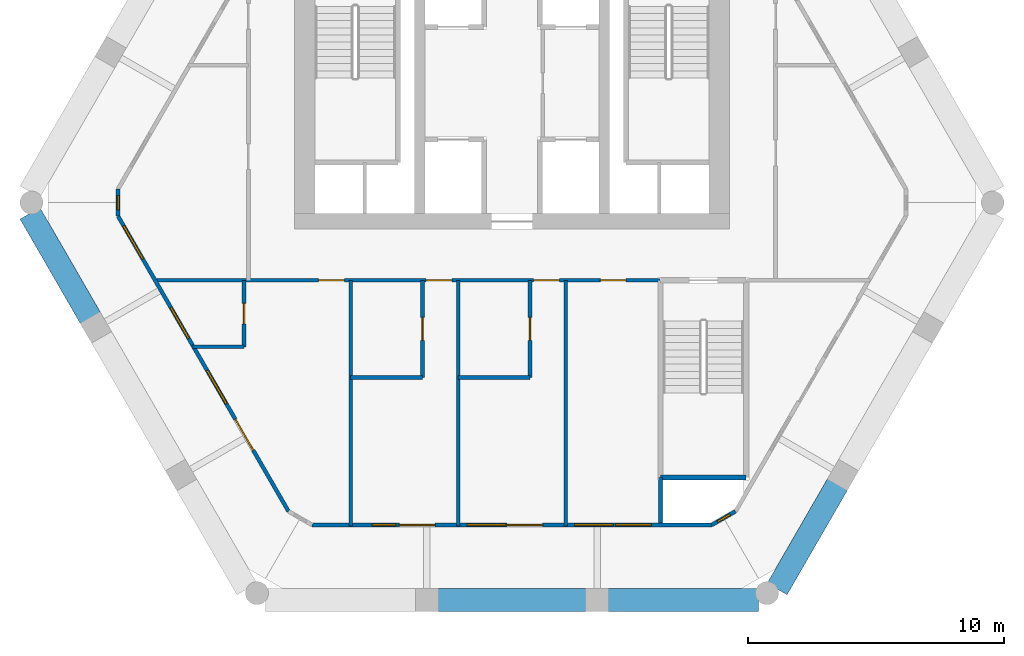
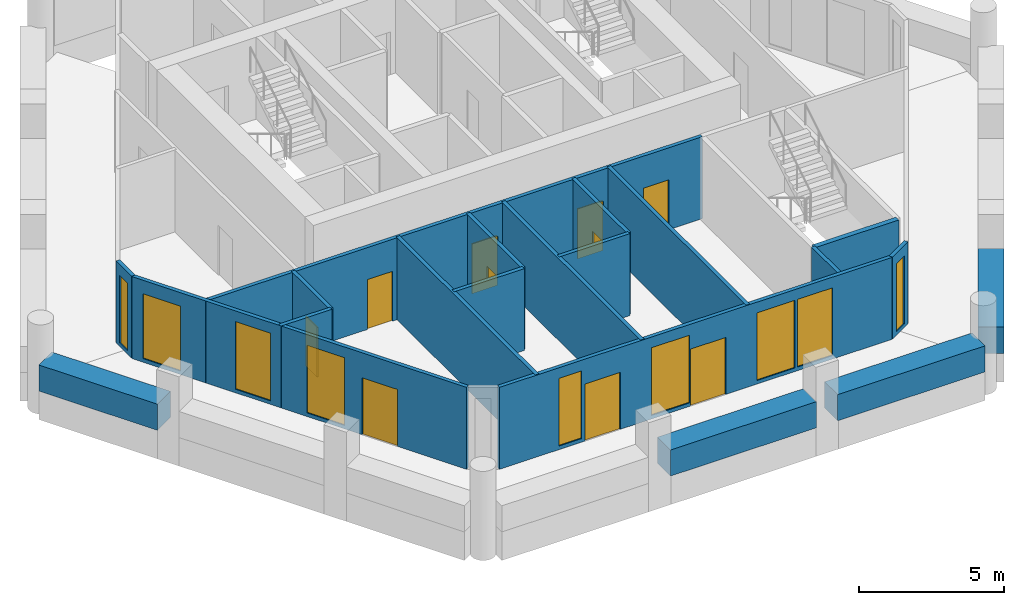
# One storey, part 2 of 6: 20 walls, 10 doors, 9 windows, 19 openings.
"""IFC4 building model written with IfcOpenShell, lengths in metres."""

from ifc_helpers import new_model, si_unit, direction, frame, frame_2d, origin, place, context, subcontext, project, spatial, rectangle, extrude, material, layer, layer_set, type_object, element, fill, save


model = new_model("IFC4")

# Units and contexts
model_context = context("Model", 3, precision=1e-05, world=origin(), true_north=direction((0.0, 1.0)))
body_context = subcontext(model_context, "Body", "Model", "MODEL_VIEW")
ifc_project = project(units=[si_unit("LENGTHUNIT", "METRE"), si_unit("AREAUNIT", "SQUARE_METRE"), si_unit("VOLUMEUNIT", "CUBIC_METRE"), si_unit("PLANEANGLEUNIT", "RADIAN"), si_unit("MASSUNIT", "GRAM", prefix="KILO")], contexts=[model_context])

# Site, building, storey
site_placement = place(None, origin())
site = spatial("IfcSite", under=ifc_project, at=site_placement, CompositionType="ELEMENT")
building_placement = place(site_placement, origin())
building = spatial("IfcBuilding", under=site, at=building_placement, Name="Ostrander Bayou Hotel Tower", CompositionType="ELEMENT")
storey_placement = place(building_placement, frame((0.0, 0.0, 252.5)))
storey = spatial("IfcBuildingStorey", under=building, at=storey_placement, Name="L62", CompositionType="ELEMENT", Elevation=252.5)

# Wall, openings, door, windows
ifc_material_1 = material(Name="Aluminium framed insulated wall", Category="aluminium")
ifc_layer_1 = layer(ifc_material_1, 0.14990234375)
ifc_layer_set_1 = layer_set([ifc_layer_1], Name="GW1 glass-line wall 150 mm")
wall_type_1 = type_object("IfcWallType", Name="GW1 glass-line wall 150 mm", PredefinedType="SOLIDWALL", material=ifc_layer_set_1)
wall_1_placement = place(storey_placement, frame((-15.387451171875, -1.197998046875, 0.0), z_axis=(0.0, 0.0, 1.0), x_axis=(0.499997087355, -0.866027085394, 0.0)))
wall_1 = element("IfcWall", 1, at=wall_1_placement, inside=storey, type_object=wall_type_1, Name="GW1 L62 SW 1", PredefinedType="SOLIDWALL", context=body_context, shape_type="SweptSolid", body=[
    extrude(rectangle(XDim=13.3125, YDim=0.14990234375, at=frame_2d((6.65625, 0.0))), origin(), (0.0, 0.0, 1.0), 3.449951171875),
])
opening_1_placement = place(wall_1_placement, frame((4.115234375, 0.0, 0.14990234375)))
opening_1 = element("IfcOpeningElement", 2, at=opening_1_placement, cuts=wall_1, Name="Opening W14", PredefinedType="OPENING", context=body_context, shape_type="SweptSolid", body=[
    extrude(rectangle(XDim=1.39990234375, YDim=2.85009765625, at=frame_2d((0.699951171875, 1.425048828125))), frame((0.0, 0.074951171875, 0.0), z_axis=(0.0, -1.0, 0.0), x_axis=(1.0, 0.0, 0.0)), (0.0, 0.0, 1.0), 0.14990234375),
])
opening_2_placement = place(wall_1_placement, frame((6.956298828125, 0.0, 0.14990234375)))
opening_2 = element("IfcOpeningElement", 3, at=opening_2_placement, cuts=wall_1, Name="Opening W4", PredefinedType="OPENING", context=body_context, shape_type="SweptSolid", body=[
    extrude(rectangle(XDim=1.5, YDim=2.85009765625, at=frame_2d((0.75, 1.425048828125))), frame((0.0, 0.074951171875, 0.0), z_axis=(0.0, -1.0, 0.0), x_axis=(1.0, 0.0, 0.0)), (0.0, 0.0, 1.0), 0.14990234375),
])
opening_3_placement = place(wall_1_placement, frame((9.15625, 0.0, 0.0)))
opening_3 = element("IfcOpeningElement", 4, at=opening_3_placement, cuts=wall_1, Name="Opening T60-800", PredefinedType="OPENING", context=body_context, shape_type="SweptSolid", body=[
    extrude(rectangle(XDim=1.39990234375, YDim=2.39990234375, at=frame_2d((0.699951171875, 1.199951171875))), frame((0.0, 0.074951171875, 0.0), z_axis=(0.0, -1.0, 0.0), x_axis=(1.0, 0.0, 0.0)), (0.0, 0.0, 1.0), 0.14990234375),
])
opening_4_placement = place(wall_1_placement, frame((0.427978515625, 0.0, 0.14990234375)))
opening_4 = element("IfcOpeningElement", 5, at=opening_4_placement, cuts=wall_1, Name="Opening W4", PredefinedType="OPENING", context=body_context, shape_type="SweptSolid", body=[
    extrude(rectangle(XDim=1.5, YDim=2.72998046875, at=frame_2d((0.75, 1.364990234375))), frame((0.0, 0.074951171875, 0.0), z_axis=(0.0, -1.0, 0.0), x_axis=(1.0, 0.0, 0.0)), (0.0, 0.0, 1.0), 0.14990234375),
])
ifc_material_2 = material(Name="Aluminium and clear glass", Category="aluminium")
door_type_1 = type_object("IfcDoorType", Name="SD4 sliding glass door 1400 mm, zone 4", OperationType="SLIDING_TO_LEFT", PredefinedType="DOOR", material=ifc_material_2)
door_1_placement = place(opening_3_placement, origin())
door_1 = element("IfcDoor", 6, at=door_1_placement, inside=storey, type_object=door_type_1, Name="SD4 L62 SW 2", OperationType="SLIDING_TO_RIGHT", OverallHeight=2.39990234375, OverallWidth=1.39990234375, PredefinedType="DOOR", context=body_context, shape_type="SweptSolid", body=[
    extrude(rectangle(XDim=1.39990234375, YDim=2.39990234375, at=frame_2d((0.699951171875, 1.199951171875))), frame((0.0, 0.02490234375, 0.0), z_axis=(0.0, -1.0, 0.0), x_axis=(1.0, 0.0, 0.0)), (0.0, 0.0, 1.0), 0.050048828125),
])
fill(opening_3, door_1)
ifc_material_3 = material(Name="Aluminium and clear glass", Category="aluminium")
window_type_1 = type_object("IfcWindowType", Name="W14 fixed window 1400 mm, bath bay, zone 4", PartitioningType="SINGLE_PANEL", PredefinedType="WINDOW", material=ifc_material_3)
window_1_placement = place(opening_1_placement, origin())
window_1 = element("IfcWindow", 7, at=window_1_placement, inside=storey, type_object=window_type_1, Name="W14 L62 SW 1", OverallHeight=2.85009765625, OverallWidth=1.39990234375, PartitioningType="SINGLE_PANEL", PredefinedType="WINDOW", context=body_context, shape_type="SweptSolid", body=[
    extrude(rectangle(XDim=1.39990234375, YDim=2.85009765625, at=frame_2d((0.699951171875, 1.425048828125))), frame((0.0, 0.030029296875, 0.0), z_axis=(0.0, -1.0, 0.0), x_axis=(1.0, 0.0, 0.0)), (0.0, 0.0, 1.0), 0.06005859375),
])
fill(opening_1, window_1)
ifc_material_4 = material(Name="Aluminium and clear glass", Category="aluminium")
window_type_2 = type_object("IfcWindowType", Name="W4 fixed window 1500 mm, zone 4", PartitioningType="SINGLE_PANEL", PredefinedType="WINDOW", material=ifc_material_4)
window_2_placement = place(opening_2_placement, origin())
window_2 = element("IfcWindow", 8, at=window_2_placement, inside=storey, type_object=window_type_2, Name="W4 L62 SW 2", OverallHeight=2.85009765625, OverallWidth=1.5, PartitioningType="SINGLE_PANEL", PredefinedType="WINDOW", context=body_context, shape_type="SweptSolid", body=[
    extrude(rectangle(XDim=1.5, YDim=2.85009765625, at=frame_2d((0.75, 1.425048828125))), frame((0.0, 0.030029296875, 0.0), z_axis=(0.0, -1.0, 0.0), x_axis=(1.0, 0.0, 0.0)), (0.0, 0.0, 1.0), 0.06005859375),
])
fill(opening_2, window_2)
window_3_placement = place(opening_4_placement, origin())
window_3 = element("IfcWindow", 9, at=window_3_placement, inside=storey, type_object=window_type_2, Name="W4 L62 SW E11", OverallHeight=2.72998046875, OverallWidth=1.5, PartitioningType="SINGLE_PANEL", PredefinedType="WINDOW", context=body_context, shape_type="SweptSolid", body=[
    extrude(rectangle(XDim=1.5, YDim=2.72998046875, at=frame_2d((0.75, 1.364990234375))), frame((0.0, 0.030029296875, 0.0), z_axis=(0.0, -1.0, 0.0), x_axis=(1.0, 0.0, 0.0)), (0.0, 0.0, 1.0), 0.06005859375),
])
fill(opening_4, window_3)

# Wall, openings, doors, windows
wall_2_placement = place(storey_placement, frame((-7.80908203125, -13.259521484375, 0.0), z_axis=(0.0, 0.0, 1.0), x_axis=(1.0, 0.0, 0.0)))
wall_2 = element("IfcWall", 10, at=wall_2_placement, inside=storey, type_object=wall_type_1, Name="GW1 L62 S 1", PredefinedType="SOLIDWALL", context=body_context, shape_type="SweptSolid", body=[
    extrude(rectangle(XDim=15.6181640625, YDim=0.14990234375, at=frame_2d((7.80908203125, 0.0))), origin(), (0.0, 0.0, 1.0), 3.449951171875),
])
opening_5_placement = place(wall_2_placement, frame((2.35888671875, 0.0, 0.14990234375)))
opening_5 = element("IfcOpeningElement", 11, at=opening_5_placement, cuts=wall_2, Name="Opening W18", PredefinedType="OPENING", context=body_context, shape_type="SweptSolid", body=[
    extrude(rectangle(XDim=0.89990234375, YDim=2.85009765625, at=frame_2d((0.449951171875, 1.425048828125))), frame((0.0, 0.074951171875, 0.0), z_axis=(0.0, -1.0, 0.0), x_axis=(1.0, 0.0, 0.0)), (0.0, 0.0, 1.0), 0.14990234375),
])
opening_6_placement = place(wall_2_placement, frame((3.408935546875, 0.0, 0.0)))
opening_6 = element("IfcOpeningElement", 12, at=opening_6_placement, cuts=wall_2, Name="Opening T60-801", PredefinedType="OPENING", context=body_context, shape_type="SweptSolid", body=[
    extrude(rectangle(XDim=1.39990234375, YDim=2.39990234375, at=frame_2d((0.699951171875, 1.199951171875))), frame((0.0, 0.074951171875, 0.0), z_axis=(0.0, -1.0, 0.0), x_axis=(1.0, 0.0, 0.0)), (0.0, 0.0, 1.0), 0.14990234375),
])
opening_7_placement = place(wall_2_placement, frame((6.05908203125, 0.0, 0.14990234375)))
opening_7 = element("IfcOpeningElement", 13, at=opening_7_placement, cuts=wall_2, Name="Opening W4", PredefinedType="OPENING", context=body_context, shape_type="SweptSolid", body=[
    extrude(rectangle(XDim=1.5, YDim=2.85009765625, at=frame_2d((0.75, 1.425048828125))), frame((0.0, 0.074951171875, 0.0), z_axis=(0.0, -1.0, 0.0), x_axis=(1.0, 0.0, 0.0)), (0.0, 0.0, 1.0), 0.14990234375),
])
opening_8_placement = place(wall_2_placement, frame((7.60888671875, 0.0, 0.0)))
opening_8 = element("IfcOpeningElement", 14, at=opening_8_placement, cuts=wall_2, Name="Opening T60-802", PredefinedType="OPENING", context=body_context, shape_type="SweptSolid", body=[
    extrude(rectangle(XDim=1.39990234375, YDim=2.39990234375, at=frame_2d((0.699951171875, 1.199951171875))), frame((0.0, 0.074951171875, 0.0), z_axis=(0.0, -1.0, 0.0), x_axis=(1.0, 0.0, 0.0)), (0.0, 0.0, 1.0), 0.14990234375),
])
opening_9_placement = place(wall_2_placement, frame((10.259033203125, 0.0, 0.14990234375)))
opening_9 = element("IfcOpeningElement", 15, at=opening_9_placement, cuts=wall_2, Name="Opening W4", PredefinedType="OPENING", context=body_context, shape_type="SweptSolid", body=[
    extrude(rectangle(XDim=1.5, YDim=2.85009765625, at=frame_2d((0.75, 1.425048828125))), frame((0.0, 0.074951171875, 0.0), z_axis=(0.0, -1.0, 0.0), x_axis=(1.0, 0.0, 0.0)), (0.0, 0.0, 1.0), 0.14990234375),
])
opening_10_placement = place(wall_2_placement, frame((11.85888671875, 0.0, 0.14990234375)))
opening_10 = element("IfcOpeningElement", 16, at=opening_10_placement, cuts=wall_2, Name="Opening W14", PredefinedType="OPENING", context=body_context, shape_type="SweptSolid", body=[
    extrude(rectangle(XDim=1.39990234375, YDim=2.85009765625, at=frame_2d((0.699951171875, 1.425048828125))), frame((0.0, 0.074951171875, 0.0), z_axis=(0.0, -1.0, 0.0), x_axis=(1.0, 0.0, 0.0)), (0.0, 0.0, 1.0), 0.14990234375),
])
door_2_placement = place(opening_6_placement, origin())
door_2 = element("IfcDoor", 17, at=door_2_placement, inside=storey, type_object=door_type_1, Name="SD4 L62 S 1", OperationType="SLIDING_TO_LEFT", OverallHeight=2.39990234375, OverallWidth=1.39990234375, PredefinedType="DOOR", context=body_context, shape_type="SweptSolid", body=[
    extrude(rectangle(XDim=1.39990234375, YDim=2.39990234375, at=frame_2d((0.699951171875, 1.199951171875))), frame((0.0, 0.02490234375, 0.0), z_axis=(0.0, -1.0, 0.0), x_axis=(1.0, 0.0, 0.0)), (0.0, 0.0, 1.0), 0.050048828125),
])
fill(opening_6, door_2)
door_3_placement = place(opening_8_placement, origin())
door_3 = element("IfcDoor", 18, at=door_3_placement, inside=storey, type_object=door_type_1, Name="SD4 L62 S 2", OperationType="SLIDING_TO_RIGHT", OverallHeight=2.39990234375, OverallWidth=1.39990234375, PredefinedType="DOOR", context=body_context, shape_type="SweptSolid", body=[
    extrude(rectangle(XDim=1.39990234375, YDim=2.39990234375, at=frame_2d((0.699951171875, 1.199951171875))), frame((0.0, 0.02490234375, 0.0), z_axis=(0.0, -1.0, 0.0), x_axis=(1.0, 0.0, 0.0)), (0.0, 0.0, 1.0), 0.050048828125),
])
fill(opening_8, door_3)
window_4_placement = place(opening_10_placement, origin())
window_4 = element("IfcWindow", 19, at=window_4_placement, inside=storey, type_object=window_type_1, Name="W14 L62 S 3", OverallHeight=2.85009765625, OverallWidth=1.39990234375, PartitioningType="SINGLE_PANEL", PredefinedType="WINDOW", context=body_context, shape_type="SweptSolid", body=[
    extrude(rectangle(XDim=1.39990234375, YDim=2.85009765625, at=frame_2d((0.699951171875, 1.425048828125))), frame((0.0, 0.030029296875, 0.0), z_axis=(0.0, -1.0, 0.0), x_axis=(1.0, 0.0, 0.0)), (0.0, 0.0, 1.0), 0.06005859375),
])
fill(opening_10, window_4)
ifc_material_5 = material(Name="Aluminium and clear glass", Category="aluminium")
window_type_3 = type_object("IfcWindowType", Name="W18 window 900 mm, zone 4", PartitioningType="SINGLE_PANEL", PredefinedType="WINDOW", material=ifc_material_5)
window_5_placement = place(opening_5_placement, origin())
window_5 = element("IfcWindow", 20, at=window_5_placement, inside=storey, type_object=window_type_3, Name="W18 L62 S 1", OverallHeight=2.85009765625, OverallWidth=0.89990234375, PartitioningType="SINGLE_PANEL", PredefinedType="WINDOW", context=body_context, shape_type="SweptSolid", body=[
    extrude(rectangle(XDim=0.89990234375, YDim=2.85009765625, at=frame_2d((0.449951171875, 1.425048828125))), frame((0.0, 0.030029296875, 0.0), z_axis=(0.0, -1.0, 0.0), x_axis=(1.0, 0.0, 0.0)), (0.0, 0.0, 1.0), 0.06005859375),
])
fill(opening_5, window_5)
window_6_placement = place(opening_7_placement, origin())
window_6 = element("IfcWindow", 21, at=window_6_placement, inside=storey, type_object=window_type_2, Name="W4 L62 S 2", OverallHeight=2.85009765625, OverallWidth=1.5, PartitioningType="SINGLE_PANEL", PredefinedType="WINDOW", context=body_context, shape_type="SweptSolid", body=[
    extrude(rectangle(XDim=1.5, YDim=2.85009765625, at=frame_2d((0.75, 1.425048828125))), frame((0.0, 0.030029296875, 0.0), z_axis=(0.0, -1.0, 0.0), x_axis=(1.0, 0.0, 0.0)), (0.0, 0.0, 1.0), 0.06005859375),
])
fill(opening_7, window_6)
window_7_placement = place(opening_9_placement, origin())
window_7 = element("IfcWindow", 22, at=window_7_placement, inside=storey, type_object=window_type_2, Name="W4 L62 S 3", OverallHeight=2.85009765625, OverallWidth=1.5, PartitioningType="SINGLE_PANEL", PredefinedType="WINDOW", context=body_context, shape_type="SweptSolid", body=[
    extrude(rectangle(XDim=1.5, YDim=2.85009765625, at=frame_2d((0.75, 1.425048828125))), frame((0.0, 0.030029296875, 0.0), z_axis=(0.0, -1.0, 0.0), x_axis=(1.0, 0.0, 0.0)), (0.0, 0.0, 1.0), 0.06005859375),
])
fill(opening_9, window_7)

# Wall, opening, window
wall_3_placement = place(storey_placement, frame((-15.387451171875, -0.133056640625, 0.0), z_axis=(0.0, 0.0, 1.0), x_axis=(0.0, -1.0, 0.0)))
wall_3 = element("IfcWall", 23, at=wall_3_placement, inside=storey, type_object=wall_type_1, Name="GW1 L62 corner 2", PredefinedType="SOLIDWALL", context=body_context, shape_type="SweptSolid", body=[
    extrude(rectangle(XDim=1.06494140625, YDim=0.14990234375, at=frame_2d((0.532470703125, 0.0))), origin(), (0.0, 0.0, 1.0), 3.449951171875),
])
opening_11_placement = place(wall_3_placement, frame((0.257568359375, 0.0, 0.14990234375)))
opening_11 = element("IfcOpeningElement", 24, at=opening_11_placement, cuts=wall_3, Name="Opening W19", PredefinedType="OPENING", context=body_context, shape_type="SweptSolid", body=[
    extrude(rectangle(XDim=0.550048828125, YDim=2.85009765625, at=frame_2d((0.27490234375, 1.425048828125))), frame((0.0, 0.074951171875, 0.0), z_axis=(0.0, -1.0, 0.0), x_axis=(1.0, 0.0, 0.0)), (0.0, 0.0, 1.0), 0.14990234375),
])
ifc_material_6 = material(Name="Aluminium and clear glass", Category="aluminium")
window_type_4 = type_object("IfcWindowType", Name="W19 corner window 550 mm", PartitioningType="SINGLE_PANEL", PredefinedType="WINDOW", material=ifc_material_6)
window_8_placement = place(opening_11_placement, origin())
window_8 = element("IfcWindow", 25, at=window_8_placement, inside=storey, type_object=window_type_4, Name="W19 L62 corner 2", OverallHeight=2.85009765625, OverallWidth=0.550048828125, PartitioningType="SINGLE_PANEL", PredefinedType="WINDOW", context=body_context, shape_type="SweptSolid", body=[
    extrude(rectangle(XDim=0.550048828125, YDim=2.85009765625, at=frame_2d((0.27490234375, 1.425048828125))), frame((0.0, 0.030029296875, 0.0), z_axis=(0.0, -1.0, 0.0), x_axis=(1.0, 0.0, 0.0)), (0.0, 0.0, 1.0), 0.06005859375),
])
fill(opening_11, window_8)

wall_4_placement = place(storey_placement, frame((7.80908203125, -13.259521484375, 0.0), z_axis=(0.0, 0.0, 1.0), x_axis=(0.865990848561, 0.500059846627, 0.0)))
wall_4 = element("IfcWall", 26, at=wall_4_placement, inside=storey, type_object=wall_type_1, Name="GW1 L62 corner 4", PredefinedType="SOLIDWALL", context=body_context, shape_type="SweptSolid", body=[
    extrude(rectangle(XDim=1.064697265625, YDim=0.14990234375, at=frame_2d((0.5322265625, 0.0))), origin(), (0.0, 0.0, 1.0), 3.449951171875),
])
opening_12_placement = place(wall_4_placement, frame((0.257568359375, 0.0, 0.14990234375)))
opening_12 = element("IfcOpeningElement", 27, at=opening_12_placement, cuts=wall_4, Name="Opening W19", PredefinedType="OPENING", context=body_context, shape_type="SweptSolid", body=[
    extrude(rectangle(XDim=0.550048828125, YDim=2.85009765625, at=frame_2d((0.27490234375, 1.425048828125))), frame((0.0, 0.074951171875, 0.0), z_axis=(0.0, -1.0, 0.0), x_axis=(1.0, 0.0, 0.0)), (0.0, 0.0, 1.0), 0.14990234375),
])
window_9_placement = place(opening_12_placement, origin())
window_9 = element("IfcWindow", 28, at=window_9_placement, inside=storey, type_object=window_type_4, Name="W19 L62 corner 4", OverallHeight=2.85009765625, OverallWidth=0.550048828125, PartitioningType="SINGLE_PANEL", PredefinedType="WINDOW", context=body_context, shape_type="SweptSolid", body=[
    extrude(rectangle(XDim=0.550048828125, YDim=2.85009765625, at=frame_2d((0.27490234375, 1.425048828125))), frame((0.0, 0.030029296875, 0.0), z_axis=(0.0, -1.0, 0.0), x_axis=(1.0, 0.0, 0.0)), (0.0, 0.0, 1.0), 0.06005859375),
])
fill(opening_12, window_9)

# Walls
ifc_material_7 = material(Name="Concrete f'c 40 MPa", Category="concrete")
ifc_layer_2 = layer(ifc_material_7, 0.89990234375)
ifc_layer_set_2 = layer_set([ifc_layer_2], Name="PA1 stone-faced parapet 900 mm")
wall_type_2 = type_object("IfcWallType", Name="PA1 stone-faced parapet 900 mm", PredefinedType="PARAPET", material=ifc_layer_set_2)
wall_5_placement = place(storey_placement, frame((-2.909423828125, -16.1845703125, 0.0), z_axis=(0.0, 0.0, 1.0), x_axis=(1.0, 0.0, 0.0)))
element("IfcWall", 29, at=wall_5_placement, inside=storey, type_object=wall_type_2, Name="PA1 L62 S-2", PredefinedType="PARAPET", context=body_context, shape_type="SweptSolid", body=[
    extrude(rectangle(XDim=5.81884765625, YDim=0.89990234375, at=frame_2d((2.909423828125, 0.0))), origin(), (0.0, 0.0, 1.0), 1.10009765625),
])
wall_6_placement = place(storey_placement, frame((3.74951171875, -16.1845703125, 0.0), z_axis=(0.0, 0.0, 1.0), x_axis=(1.0, 0.0, 0.0)))
element("IfcWall", 30, at=wall_6_placement, inside=storey, type_object=wall_type_2, Name="PA1 L62 S-3", PredefinedType="PARAPET", context=body_context, shape_type="SweptSolid", body=[
    extrude(rectangle(XDim=5.8759765625, YDim=0.89990234375, at=frame_2d((2.93798828125, 0.0))), origin(), (0.0, 0.0, 1.0), 1.10009765625),
])
ifc_material_8 = material(Name="Limestone masonry", Category="masonry")
ifc_layer_3 = layer(ifc_material_8, 0.89990234375)
ifc_layer_set_3 = layer_set([ifc_layer_3], Name="PA2 limestone parapet 900 mm")
wall_type_3 = type_object("IfcWallType", Name="PA2 limestone parapet 900 mm", PredefinedType="PARAPET", material=ifc_layer_set_3)
wall_7_placement = place(storey_placement, frame((-18.828857421875, -1.08740234375, 0.0), z_axis=(0.0, 0.0, 1.0), x_axis=(0.499980471007, -0.86603667856, 0.0)))
element("IfcWall", 31, at=wall_7_placement, inside=storey, type_object=wall_type_3, Name="PA2 L62 SW-1", PredefinedType="PARAPET", context=body_context, shape_type="SweptSolid", body=[
    extrude(rectangle(XDim=4.723388671875, YDim=0.89990234375, at=frame_2d((2.36181640625, 0.0))), origin(), (0.0, 0.0, 1.0), 1.10009765625),
])
wall_8_placement = place(storey_placement, frame((10.356201171875, -15.762451171875, 0.0), z_axis=(0.0, 0.0, 1.0), x_axis=(0.500002852929, 0.866023756639, 0.0)))
element("IfcWall", 32, at=wall_8_placement, inside=storey, type_object=wall_type_3, Name="PA2 L62 SE-1", PredefinedType="PARAPET", context=body_context, shape_type="SweptSolid", body=[
    extrude(rectangle(XDim=4.72314453125, YDim=0.89990234375, at=frame_2d((2.361572265625, 0.0))), origin(), (0.0, 0.0, 1.0), 1.10009765625),
])
ifc_material_9 = material(Name="Gypsum board partition", Category="finish")
ifc_layer_4 = layer(ifc_material_9, 0.14990234375)
ifc_layer_set_4 = layer_set([ifc_layer_4], Name="PT7 riser wall 150 mm, 2 hour")
wall_type_4 = type_object("IfcWallType", Name="PT7 riser wall 150 mm, 2 hour", PredefinedType="PARTITIONING", material=ifc_layer_set_4)
wall_9_placement = place(storey_placement, frame((5.800048828125, -11.39990234375, 0.0), z_axis=(0.0, 0.0, 1.0), x_axis=(0.0, -1.0, 0.0)))
element("IfcWall", 33, at=wall_9_placement, inside=storey, type_object=wall_type_4, Name="cs:L62:019", PredefinedType="PARTITIONING", context=body_context, shape_type="SweptSolid", body=[
    extrude(rectangle(XDim=1.78466796875, YDim=0.14990234375, at=frame_2d((0.892333984375, 0.0))), origin(), (0.0, 0.0, 1.0), 3.449951171875),
])
ifc_material_10 = material(Name="Gypsum board partition", Category="finish")
ifc_layer_5 = layer(ifc_material_10, 0.14990234375)
ifc_layer_set_5 = layer_set([ifc_layer_5], Name="PT8 service band wall 150 mm, 1 hour")
wall_type_5 = type_object("IfcWallType", Name="PT8 service band wall 150 mm, 1 hour", PredefinedType="PARTITIONING", material=ifc_layer_set_5)
for number, where, z_axis, x_axis, name in (
    (34, (-6.300048828125, -7.5, 0.0), (0.0, 0.0, 1.0), (1.0, 0.0, 0.0), "gw:L62:001"),
    (35, (-2.10009765625, -7.5, 0.0), (0.0, 0.0, 1.0), (1.0, 0.0, 0.0), "gw:L62:002"),
):
    element("IfcWall", number, at=place(storey_placement, frame(where, z_axis=z_axis, x_axis=x_axis)), inside=storey, type_object=wall_type_5, Name=name, PredefinedType="PARTITIONING", context=body_context, shape_type="SweptSolid", body=[
        extrude(rectangle(XDim=2.800048828125, YDim=0.14990234375, at=frame_2d((1.39990234375, 0.0))), origin(), (0.0, 0.0, 1.0), 3.449951171875),
    ])
wall_10_placement = place(storey_placement, frame((-12.493896484375, -6.300048828125, 0.0), z_axis=(0.0, 0.0, 1.0), x_axis=(1.0, 0.0, 0.0)))
element("IfcWall", 36, at=wall_10_placement, inside=storey, type_object=wall_type_5, Name="gw:L62:003", PredefinedType="PARTITIONING", context=body_context, shape_type="SweptSolid", body=[
    extrude(rectangle(XDim=2.02880859375, YDim=0.14990234375, at=frame_2d((1.014404296875, 0.0))), origin(), (0.0, 0.0, 1.0), 3.449951171875),
])

# Wall, openings, doors
wall_11_placement = place(storey_placement, frame((-13.9951171875, -3.699951171875, 0.0), z_axis=(0.0, 0.0, 1.0), x_axis=(1.0, 0.0, 0.0)))
wall_11 = element("IfcWall", 37, at=wall_11_placement, inside=storey, type_object=wall_type_5, Name="gw:L62:004", PredefinedType="PARTITIONING", context=body_context, shape_type="SweptSolid", body=[
    extrude(rectangle(XDim=19.78515625, YDim=0.14990234375, at=frame_2d((9.892578125, 0.0))), origin(), (0.0, 0.0, 1.0), 3.449951171875),
])
opening_13_placement = place(wall_11_placement, frame((14.844970703125, 0.0, 0.0)))
opening_13 = element("IfcOpeningElement", 38, at=opening_13_placement, cuts=wall_11, Name="Opening T60-400", PredefinedType="OPENING", context=body_context, shape_type="SweptSolid", body=[
    extrude(rectangle(XDim=1.0, YDim=2.10009765625, at=frame_2d((0.5, 1.050048828125))), frame((0.0, 0.074951171875, 0.0), z_axis=(0.0, -1.0, 0.0), x_axis=(1.0, 0.0, 0.0)), (0.0, 0.0, 1.0), 0.14990234375),
])
opening_14_placement = place(wall_11_placement, frame((10.64501953125, 0.0, 0.0)))
opening_14 = element("IfcOpeningElement", 39, at=opening_14_placement, cuts=wall_11, Name="Opening T60-402", PredefinedType="OPENING", context=body_context, shape_type="SweptSolid", body=[
    extrude(rectangle(XDim=1.0, YDim=2.10009765625, at=frame_2d((0.5, 1.050048828125))), frame((0.0, 0.074951171875, 0.0), z_axis=(0.0, -1.0, 0.0), x_axis=(1.0, 0.0, 0.0)), (0.0, 0.0, 1.0), 0.14990234375),
])
opening_15_placement = place(wall_11_placement, frame((6.445068359375, 0.0, 0.0)))
opening_15 = element("IfcOpeningElement", 40, at=opening_15_placement, cuts=wall_11, Name="Opening T60-404", PredefinedType="OPENING", context=body_context, shape_type="SweptSolid", body=[
    extrude(rectangle(XDim=1.0, YDim=2.10009765625, at=frame_2d((0.5, 1.050048828125))), frame((0.0, 0.074951171875, 0.0), z_axis=(0.0, -1.0, 0.0), x_axis=(1.0, 0.0, 0.0)), (0.0, 0.0, 1.0), 0.14990234375),
])
opening_16_placement = place(wall_11_placement, frame((17.445068359375, 0.0, 0.0)))
opening_16 = element("IfcOpeningElement", 41, at=opening_16_placement, cuts=wall_11, Name="Opening T60-406", PredefinedType="OPENING", context=body_context, shape_type="SweptSolid", body=[
    extrude(rectangle(XDim=1.0, YDim=2.10009765625, at=frame_2d((0.5, 1.050048828125))), frame((0.0, 0.074951171875, 0.0), z_axis=(0.0, -1.0, 0.0), x_axis=(1.0, 0.0, 0.0)), (0.0, 0.0, 1.0), 0.14990234375),
])
ifc_material_11 = material(Name="Timber door leaf", Category="wood")
door_type_2 = type_object("IfcDoorType", Name="D1 guest room door 1000 x 2100 mm, 30 minute", OperationType="SINGLE_SWING_LEFT", PredefinedType="DOOR", material=ifc_material_11)
door_4_placement = place(opening_13_placement, origin())
door_4 = element("IfcDoor", 42, at=door_4_placement, inside=storey, type_object=door_type_2, Name="dr:L62:400", OperationType="SINGLE_SWING_RIGHT", OverallHeight=2.10009765625, OverallWidth=1.0, PredefinedType="DOOR", context=body_context, shape_type="SweptSolid", body=[
    extrude(rectangle(XDim=1.0, YDim=2.10009765625, at=frame_2d((0.5, 1.050048828125))), frame((0.0, 0.02490234375, 0.0), z_axis=(0.0, -1.0, 0.0), x_axis=(1.0, 0.0, 0.0)), (0.0, 0.0, 1.0), 0.050048828125),
])
fill(opening_13, door_4)
door_5_placement = place(opening_14_placement, origin())
door_5 = element("IfcDoor", 43, at=door_5_placement, inside=storey, type_object=door_type_2, Name="dr:L62:402", OperationType="SINGLE_SWING_RIGHT", OverallHeight=2.10009765625, OverallWidth=1.0, PredefinedType="DOOR", context=body_context, shape_type="SweptSolid", body=[
    extrude(rectangle(XDim=1.0, YDim=2.10009765625, at=frame_2d((0.5, 1.050048828125))), frame((0.0, 0.02490234375, 0.0), z_axis=(0.0, -1.0, 0.0), x_axis=(1.0, 0.0, 0.0)), (0.0, 0.0, 1.0), 0.050048828125),
])
fill(opening_14, door_5)
door_6_placement = place(opening_15_placement, origin())
door_6 = element("IfcDoor", 44, at=door_6_placement, inside=storey, type_object=door_type_2, Name="dr:L62:404", OperationType="SINGLE_SWING_RIGHT", OverallHeight=2.10009765625, OverallWidth=1.0, PredefinedType="DOOR", context=body_context, shape_type="SweptSolid", body=[
    extrude(rectangle(XDim=1.0, YDim=2.10009765625, at=frame_2d((0.5, 1.050048828125))), frame((0.0, 0.02490234375, 0.0), z_axis=(0.0, -1.0, 0.0), x_axis=(1.0, 0.0, 0.0)), (0.0, 0.0, 1.0), 0.050048828125),
])
fill(opening_15, door_6)
ifc_material_12 = material(Name="Timber door leaf", Category="wood")
door_type_3 = type_object("IfcDoorType", Name="D9 service door 1000 x 2100 mm, 30 minute", OperationType="SINGLE_SWING_LEFT", PredefinedType="DOOR", material=ifc_material_12)
door_7_placement = place(opening_16_placement, origin())
door_7 = element("IfcDoor", 45, at=door_7_placement, inside=storey, type_object=door_type_3, Name="dr:L62:406", OperationType="SINGLE_SWING_LEFT", OverallHeight=2.10009765625, OverallWidth=1.0, PredefinedType="DOOR", context=body_context, shape_type="SweptSolid", body=[
    extrude(rectangle(XDim=1.0, YDim=2.10009765625, at=frame_2d((0.5, 1.050048828125))), frame((0.0, 0.02490234375, 0.0), z_axis=(0.0, -1.0, 0.0), x_axis=(1.0, 0.0, 0.0)), (0.0, 0.0, 1.0), 0.050048828125),
])
fill(opening_16, door_7)

# Wall
wall_12_placement = place(storey_placement, frame((2.10009765625, -13.303955078125, 0.0), z_axis=(0.0, 0.0, 1.0), x_axis=(0.0, 1.0, 0.0)))
element("IfcWall", 46, at=wall_12_placement, inside=storey, type_object=wall_type_5, Name="gw:L62:010", PredefinedType="PARTITIONING", context=body_context, shape_type="SweptSolid", body=[
    extrude(rectangle(XDim=9.60400390625, YDim=0.14990234375, at=frame_2d((4.802001953125, 0.0))), origin(), (0.0, 0.0, 1.0), 3.449951171875),
])

# Wall, opening, door
wall_13_placement = place(storey_placement, frame((0.699951171875, -7.5, 0.0), z_axis=(0.0, 0.0, 1.0), x_axis=(0.0, 1.0, 0.0)))
wall_13 = element("IfcWall", 47, at=wall_13_placement, inside=storey, type_object=wall_type_5, Name="gw:L62:011", PredefinedType="PARTITIONING", context=body_context, shape_type="SweptSolid", body=[
    extrude(rectangle(XDim=3.800048828125, YDim=0.14990234375, at=frame_2d((1.89990234375, 0.0))), origin(), (0.0, 0.0, 1.0), 3.449951171875),
])
opening_17_placement = place(wall_13_placement, frame((1.449951171875, 0.0, 0.0)))
opening_17 = element("IfcOpeningElement", 48, at=opening_17_placement, cuts=wall_13, Name="Opening T60-401", PredefinedType="OPENING", context=body_context, shape_type="SweptSolid", body=[
    extrude(rectangle(XDim=0.89990234375, YDim=2.10009765625, at=frame_2d((0.449951171875, 1.050048828125))), frame((0.0, 0.074951171875, 0.0), z_axis=(0.0, -1.0, 0.0), x_axis=(1.0, 0.0, 0.0)), (0.0, 0.0, 1.0), 0.14990234375),
])
ifc_material_13 = material(Name="Timber door leaf", Category="wood")
door_type_4 = type_object("IfcDoorType", Name="D14 bathroom door 900 x 2100 mm", OperationType="SINGLE_SWING_LEFT", PredefinedType="DOOR", material=ifc_material_13)
door_8_placement = place(opening_17_placement, origin())
door_8 = element("IfcDoor", 49, at=door_8_placement, inside=storey, type_object=door_type_4, Name="dr:L62:401", OperationType="SINGLE_SWING_RIGHT", OverallHeight=2.10009765625, OverallWidth=0.89990234375, PredefinedType="DOOR", context=body_context, shape_type="SweptSolid", body=[
    extrude(rectangle(XDim=0.89990234375, YDim=2.10009765625, at=frame_2d((0.449951171875, 1.050048828125))), frame((0.0, 0.02490234375, 0.0), z_axis=(0.0, -1.0, 0.0), x_axis=(1.0, 0.0, 0.0)), (0.0, 0.0, 1.0), 0.050048828125),
])
fill(opening_17, door_8)

# Wall
wall_14_placement = place(storey_placement, frame((-2.10009765625, -13.303955078125, 0.0), z_axis=(0.0, 0.0, 1.0), x_axis=(0.0, 1.0, 0.0)))
element("IfcWall", 50, at=wall_14_placement, inside=storey, type_object=wall_type_5, Name="gw:L62:012", PredefinedType="PARTITIONING", context=body_context, shape_type="SweptSolid", body=[
    extrude(rectangle(XDim=9.60400390625, YDim=0.14990234375, at=frame_2d((4.802001953125, 0.0))), origin(), (0.0, 0.0, 1.0), 3.449951171875),
])

# Wall, opening, door
wall_15_placement = place(storey_placement, frame((-3.5, -7.5, 0.0), z_axis=(0.0, 0.0, 1.0), x_axis=(0.0, 1.0, 0.0)))
wall_15 = element("IfcWall", 51, at=wall_15_placement, inside=storey, type_object=wall_type_5, Name="gw:L62:013", PredefinedType="PARTITIONING", context=body_context, shape_type="SweptSolid", body=[
    extrude(rectangle(XDim=3.800048828125, YDim=0.14990234375, at=frame_2d((1.89990234375, 0.0))), origin(), (0.0, 0.0, 1.0), 3.449951171875),
])
opening_18_placement = place(wall_15_placement, frame((1.449951171875, 0.0, 0.0)))
opening_18 = element("IfcOpeningElement", 52, at=opening_18_placement, cuts=wall_15, Name="Opening T60-403", PredefinedType="OPENING", context=body_context, shape_type="SweptSolid", body=[
    extrude(rectangle(XDim=0.89990234375, YDim=2.10009765625, at=frame_2d((0.449951171875, 1.050048828125))), frame((0.0, 0.074951171875, 0.0), z_axis=(0.0, -1.0, 0.0), x_axis=(1.0, 0.0, 0.0)), (0.0, 0.0, 1.0), 0.14990234375),
])
door_9_placement = place(opening_18_placement, origin())
door_9 = element("IfcDoor", 53, at=door_9_placement, inside=storey, type_object=door_type_4, Name="dr:L62:403", OperationType="SINGLE_SWING_RIGHT", OverallHeight=2.10009765625, OverallWidth=0.89990234375, PredefinedType="DOOR", context=body_context, shape_type="SweptSolid", body=[
    extrude(rectangle(XDim=0.89990234375, YDim=2.10009765625, at=frame_2d((0.449951171875, 1.050048828125))), frame((0.0, 0.02490234375, 0.0), z_axis=(0.0, -1.0, 0.0), x_axis=(1.0, 0.0, 0.0)), (0.0, 0.0, 1.0), 0.050048828125),
])
fill(opening_18, door_9)

# Wall
wall_16_placement = place(storey_placement, frame((-6.300048828125, -13.303955078125, 0.0), z_axis=(0.0, 0.0, 1.0), x_axis=(0.0, 1.0, 0.0)))
element("IfcWall", 54, at=wall_16_placement, inside=storey, type_object=wall_type_5, Name="gw:L62:014", PredefinedType="PARTITIONING", context=body_context, shape_type="SweptSolid", body=[
    extrude(rectangle(XDim=9.60400390625, YDim=0.14990234375, at=frame_2d((4.802001953125, 0.0))), origin(), (0.0, 0.0, 1.0), 3.449951171875),
])

# Wall, opening, door
wall_17_placement = place(storey_placement, frame((-10.465087890625, -6.300048828125, 0.0), z_axis=(0.0, 0.0, 1.0), x_axis=(0.0, 1.0, 0.0)))
wall_17 = element("IfcWall", 55, at=wall_17_placement, inside=storey, type_object=wall_type_5, Name="gw:L62:016", PredefinedType="PARTITIONING", context=body_context, shape_type="SweptSolid", body=[
    extrude(rectangle(XDim=2.60009765625, YDim=0.14990234375, at=frame_2d((1.300048828125, 0.0))), origin(), (0.0, 0.0, 1.0), 3.449951171875),
])
opening_19_placement = place(wall_17_placement, frame((0.89990234375, 0.0, 0.0)))
opening_19 = element("IfcOpeningElement", 56, at=opening_19_placement, cuts=wall_17, Name="Opening T60-405", PredefinedType="OPENING", context=body_context, shape_type="SweptSolid", body=[
    extrude(rectangle(XDim=0.800048828125, YDim=2.10009765625, at=frame_2d((0.39990234375, 1.050048828125))), frame((0.0, 0.074951171875, 0.0), z_axis=(0.0, -1.0, 0.0), x_axis=(1.0, 0.0, 0.0)), (0.0, 0.0, 1.0), 0.14990234375),
])
ifc_material_14 = material(Name="Timber door leaf", Category="wood")
door_type_5 = type_object("IfcDoorType", Name="D2 bathroom door 800 x 2100 mm", OperationType="SINGLE_SWING_LEFT", PredefinedType="DOOR", material=ifc_material_14)
door_10_placement = place(opening_19_placement, origin())
door_10 = element("IfcDoor", 57, at=door_10_placement, inside=storey, type_object=door_type_5, Name="dr:L62:405", OperationType="SINGLE_SWING_RIGHT", OverallHeight=2.10009765625, OverallWidth=0.800048828125, PredefinedType="DOOR", context=body_context, shape_type="SweptSolid", body=[
    extrude(rectangle(XDim=0.800048828125, YDim=2.10009765625, at=frame_2d((0.39990234375, 1.050048828125))), frame((0.0, 0.02490234375, 0.0), z_axis=(0.0, -1.0, 0.0), x_axis=(1.0, 0.0, 0.0)), (0.0, 0.0, 1.0), 0.050048828125),
])
fill(opening_19, door_10)

# Wall
ifc_material_15 = material(Name="Concrete f'c 45 MPa", Category="concrete")
ifc_layer_6 = layer(ifc_material_15, 0.199951171875)
ifc_layer_set_6 = layer_set([ifc_layer_6], Name="SW5 stair enclosure wall 200 mm f'c 45 MPa")
wall_type_6 = type_object("IfcWallType", Name="SW5 stair enclosure wall 200 mm f'c 45 MPa", PredefinedType="SOLIDWALL", material=ifc_layer_set_6)
wall_18_placement = place(storey_placement, frame((5.800048828125, -11.39990234375, -0.300048828125), z_axis=(0.0, 0.0, 1.0), x_axis=(1.0, 0.0, 0.0)))
element("IfcWall", 58, at=wall_18_placement, inside=storey, type_object=wall_type_6, Name="cs:L62:018", PredefinedType="SOLIDWALL", context=body_context, shape_type="SweptSolid", body=[
    extrude(rectangle(XDim=3.349853515625, YDim=0.199951171875, at=frame_2d((1.6748046875, 0.0))), origin(), (0.0, 0.0, 1.0), 3.75),
])

save(model, "model.ifc")
